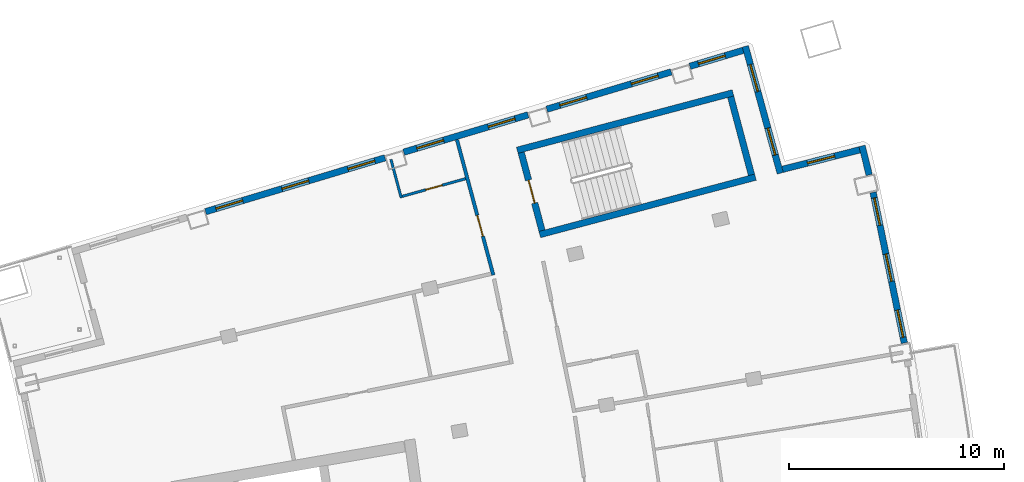
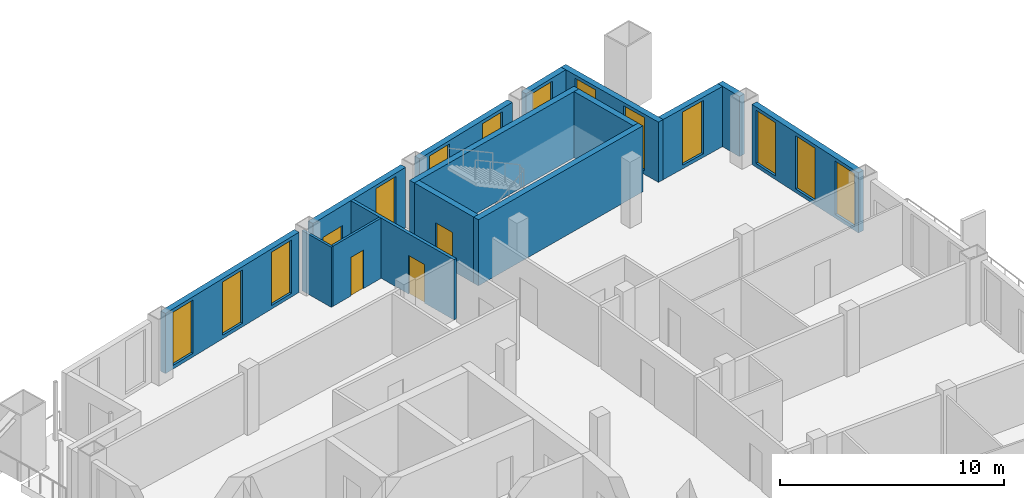
# One storey, part 13 of 17: 15 walls, 14 windows, 3 doors, 17 openings.
"""IFC4 building model written with IfcOpenShell, lengths in metres."""

from ifc_helpers import new_model, si_unit, direction, frame, frame_2d, origin, place, context, subcontext, project, spatial, rectangle, extrude, material, layer, layer_set, type_object, element, fill, save


model = new_model("IFC4")

# Units and contexts
model_context = context("Model", 3, precision=1e-05, world=origin(), true_north=direction((0.0, 1.0)))
body_context = subcontext(model_context, "Body", "Model", "MODEL_VIEW")
ifc_project = project(units=[si_unit("LENGTHUNIT", "METRE"), si_unit("AREAUNIT", "SQUARE_METRE"), si_unit("VOLUMEUNIT", "CUBIC_METRE"), si_unit("PLANEANGLEUNIT", "RADIAN"), si_unit("MASSUNIT", "GRAM", prefix="KILO")], contexts=[model_context])

# Site, building, storey
site_placement = place(None, origin())
site = spatial("IfcSite", under=ifc_project, at=site_placement, CompositionType="ELEMENT")
building_placement = place(site_placement, origin())
building = spatial("IfcBuilding", under=site, at=building_placement, Name="Alderwake Tower", CompositionType="ELEMENT")
storey_placement = place(building_placement, frame((0.0, 0.0, 260.0)))
storey = spatial("IfcBuildingStorey", under=building, at=storey_placement, Name="L64", CompositionType="ELEMENT", Elevation=260.0)

# Walls
ifc_material_1 = material(Name="Concrete C70/85", Category="concrete")
ifc_layer_1 = layer(ifc_material_1, 0.300048828125)
ifc_layer_set_1 = layer_set([ifc_layer_1], Name="Core wall stair enclosure 300 C70-85")
wall_type_1 = type_object("IfcWallType", Name="Core wall stair enclosure 300 C70-85", PredefinedType="SHEAR", material=ifc_layer_set_1)
for number, where, z_axis, x_axis, name in (
    (1, (36.71142578125, 94.182373046875, 0.0), (0.0, 0.0, 1.0), (0.966309214305, 0.257383958996, 0.0), "Core wall CW.082"),
    (2, (37.75390625, 90.268798828125, 0.0), (0.0, 0.0, 1.0), (0.966309214305, 0.257383958996, 0.0), "Core wall CW.084"),
):
    element("IfcWall", number, at=place(storey_placement, frame(where, z_axis=z_axis, x_axis=x_axis)), inside=storey, type_object=wall_type_1, Name=name, PredefinedType="SHEAR", context=body_context, shape_type="SweptSolid", body=[
        extrude(rectangle(XDim=10.360107421875, YDim=0.300048828125, at=frame_2d((5.18017578125, 0.0))), origin(), (0.0, 0.0, 1.0), 3.60009765625),
    ])

# Wall, opening, door
wall_1_placement = place(storey_placement, frame((37.8603515625, 90.452392578125, 0.0), z_axis=(0.0, 0.0, 1.0), x_axis=(-0.257411420208, 0.966301899381, 0.0)))
wall_1 = element("IfcWall", 3, at=wall_1_placement, inside=storey, type_object=wall_type_1, Name="Core wall CW.083", PredefinedType="SHEAR", context=body_context, shape_type="SweptSolid", body=[
    extrude(rectangle(XDim=3.750244140625, YDim=0.300048828125, at=frame_2d((1.875, 0.0))), origin(), (0.0, 0.0, 1.0), 3.60009765625),
])
opening_1_placement = place(wall_1_placement, frame((1.324951171875, 0.0, 0.0)))
opening_1 = element("IfcOpeningElement", 4, at=opening_1_placement, cuts=wall_1, Name="Opening C062", PredefinedType="OPENING", context=body_context, shape_type="SweptSolid", body=[
    extrude(rectangle(XDim=1.10009765625, YDim=2.10009765625, at=frame_2d((0.550048828125, 1.050048828125))), frame((0.0, 0.159912109375, 0.0), z_axis=(0.0, -1.0, 0.0), x_axis=(1.0, 0.0, 0.0)), (0.0, 0.0, 1.0), 0.320068359375),
])
ifc_material_2 = material(Name="Steel-framed fire door leaf", Category="steel")
door_type_1 = type_object("IfcDoorType", Name="Core stair door 1100 fire-rated", OperationType="SINGLE_SWING_LEFT", PredefinedType="DOOR", material=ifc_material_2)
door_1_placement = place(opening_1_placement, origin())
door_1 = element("IfcDoor", 5, at=door_1_placement, inside=storey, type_object=door_type_1, Name="Stair door", OperationType="SINGLE_SWING_LEFT", OverallHeight=2.10009765625, OverallWidth=1.10009765625, PredefinedType="DOOR", context=body_context, shape_type="SweptSolid", body=[
    extrude(rectangle(XDim=1.10009765625, YDim=2.10009765625, at=frame_2d((0.550048828125, 1.050048828125))), frame((0.0, 0.02490234375, 0.0), z_axis=(0.0, -1.0, 0.0), x_axis=(1.0, 0.0, 0.0)), (0.0, 0.0, 1.0), 0.050048828125),
])
fill(opening_1, door_1)

# Wall
wall_2_placement = place(storey_placement, frame((47.581298828125, 93.041748046875, 0.0), z_axis=(0.0, 0.0, 1.0), x_axis=(-0.257366821694, 0.966313778796, 0.0)))
element("IfcWall", 6, at=wall_2_placement, inside=storey, type_object=wall_type_1, Name="Core wall CW.081", PredefinedType="SHEAR", context=body_context, shape_type="SweptSolid", body=[
    extrude(rectangle(XDim=3.749755859375, YDim=0.300048828125, at=frame_2d((1.875, 0.0))), origin(), (0.0, 0.0, 1.0), 3.60009765625),
])

# Wall, opening, door
ifc_material_3 = material(Name="Gypsum board on metal studs, rated")
ifc_layer_2 = layer(ifc_material_3, 0.159912109375)
ifc_layer_set_2 = layer_set([ifc_layer_2], Name="Corridor wall 160")
wall_type_2 = type_object("IfcWallType", Name="Corridor wall 160", PredefinedType="PARTITIONING", material=ifc_layer_set_2)
wall_3_placement = place(storey_placement, frame((35.600830078125, 88.392578125, 0.0), z_axis=(0.0, 0.0, 1.0), x_axis=(-0.259509260101, 0.965740619381, 0.0)))
wall_3 = element("IfcWall", 7, at=wall_3_placement, inside=storey, type_object=wall_type_2, Name="WL/L64/W13", PredefinedType="PARTITIONING", context=body_context, shape_type="SweptSolid", body=[
    extrude(rectangle(XDim=6.50732421875, YDim=0.159912109375, at=frame_2d((3.253662109375, 0.0))), origin(), (0.0, 0.0, 1.0), 3.280029296875),
])
opening_2_placement = place(wall_3_placement, frame((1.865478515625, 0.0, 0.0)))
opening_2 = element("IfcOpeningElement", 8, at=opening_2_placement, cuts=wall_3, Name="Opening R18-U09.1", PredefinedType="OPENING", context=body_context, shape_type="SweptSolid", body=[
    extrude(rectangle(XDim=1.0, YDim=2.10009765625, at=frame_2d((0.5, 1.050048828125))), frame((0.0, 0.08984375, 0.0), z_axis=(0.0, -1.0, 0.0), x_axis=(1.0, 0.0, 0.0)), (0.0, 0.0, 1.0), 0.179931640625),
])
ifc_material_4 = material(Name="Solid timber leaf in steel frame", Category="steel")
door_type_2 = type_object("IfcDoorType", Name="Flat entrance door 1000 fire-rated", OperationType="SINGLE_SWING_LEFT", PredefinedType="DOOR", material=ifc_material_4)
door_2_placement = place(opening_2_placement, origin())
door_2 = element("IfcDoor", 9, at=door_2_placement, inside=storey, type_object=door_type_2, Name="DR/L64/U09.1", OperationType="SINGLE_SWING_LEFT", OverallHeight=2.10009765625, OverallWidth=1.0, PredefinedType="DOOR", context=body_context, shape_type="SweptSolid", body=[
    extrude(rectangle(XDim=1.0, YDim=2.10009765625, at=frame_2d((0.5, 1.050048828125))), frame((0.0, 0.02490234375, 0.0), z_axis=(0.0, -1.0, 0.0), x_axis=(1.0, 0.0, 0.0)), (0.0, 0.0, 1.0), 0.050048828125),
])
fill(opening_2, door_2)

# Wall, openings, windows
ifc_material_5 = material(Name="Precast concrete C50/60 spandrel panel", Category="concrete")
ifc_layer_3 = layer(ifc_material_5, 0.300048828125)
ifc_layer_set_3 = layer_set([ifc_layer_3], Name="External wall EW1 Precast concrete C50/60 spandrel")
wall_type_3 = type_object("IfcWallType", Name="External wall EW1 Precast concrete C50/60 spandrel", PredefinedType="SOLIDWALL", material=ifc_layer_set_3)
wall_4_placement = place(storey_placement, frame((54.67431640625, 85.23974609375, 0.0), z_axis=(0.0, 0.0, 1.0), x_axis=(-0.202780898279, 0.979224135371, 0.0)))
wall_4 = element("IfcWall", 10, at=wall_4_placement, inside=storey, type_object=wall_type_3, Name="External wall 19", PredefinedType="SOLIDWALL", context=body_context, shape_type="SweptSolid", body=[
    extrude(rectangle(XDim=7.13818359375, YDim=0.300048828125, at=frame_2d((3.569091796875, 0.0))), origin(), (0.0, 0.0, 1.0), 3.280029296875),
])
opening_3_placement = place(wall_4_placement, frame((0.263427734375, 0.0, 0.199951171875)))
opening_3 = element("IfcOpeningElement", 11, at=opening_3_placement, cuts=wall_4, Name="Opening W1", PredefinedType="OPENING", context=body_context, shape_type="SweptSolid", body=[
    extrude(rectangle(XDim=1.300048828125, YDim=2.89990234375, at=frame_2d((0.64990234375, 1.449951171875))), frame((0.0, 0.159912109375, 0.0), z_axis=(0.0, -1.0, 0.0), x_axis=(1.0, 0.0, 0.0)), (0.0, 0.0, 1.0), 0.320068359375),
])
opening_4_placement = place(wall_4_placement, frame((2.919189453125, 0.0, 0.199951171875)))
opening_4 = element("IfcOpeningElement", 12, at=opening_4_placement, cuts=wall_4, Name="Opening W1", PredefinedType="OPENING", context=body_context, shape_type="SweptSolid", body=[
    extrude(rectangle(XDim=1.300048828125, YDim=2.89990234375, at=frame_2d((0.64990234375, 1.449951171875))), frame((0.0, 0.159912109375, 0.0), z_axis=(0.0, -1.0, 0.0), x_axis=(1.0, 0.0, 0.0)), (0.0, 0.0, 1.0), 0.320068359375),
])
opening_5_placement = place(wall_4_placement, frame((5.574951171875, 0.0, 0.199951171875)))
opening_5 = element("IfcOpeningElement", 13, at=opening_5_placement, cuts=wall_4, Name="Opening W1", PredefinedType="OPENING", context=body_context, shape_type="SweptSolid", body=[
    extrude(rectangle(XDim=1.300048828125, YDim=2.89990234375, at=frame_2d((0.64990234375, 1.449951171875))), frame((0.0, 0.159912109375, 0.0), z_axis=(0.0, -1.0, 0.0), x_axis=(1.0, 0.0, 0.0)), (0.0, 0.0, 1.0), 0.320068359375),
])
ifc_material_6 = material(Name="Bronze tinted glass in aluminium frame", Category="aluminium")
window_type_1 = type_object("IfcWindowType", Name="Window W1 tall fixed and vent", PartitioningType="DOUBLE_PANEL_VERTICAL", PredefinedType="WINDOW", material=ifc_material_6)
window_1_placement = place(opening_3_placement, origin())
window_1 = element("IfcWindow", 14, at=window_1_placement, inside=storey, type_object=window_type_1, Name="Window W1 tall fixed and vent", OverallHeight=2.89990234375, OverallWidth=1.300048828125, PartitioningType="DOUBLE_PANEL_VERTICAL", PredefinedType="WINDOW", context=body_context, shape_type="SweptSolid", body=[
    extrude(rectangle(XDim=1.300048828125, YDim=2.89990234375, at=frame_2d((0.64990234375, 1.449951171875))), frame((0.0, 0.030029296875, 0.0), z_axis=(0.0, -1.0, 0.0), x_axis=(1.0, 0.0, 0.0)), (0.0, 0.0, 1.0), 0.06005859375),
])
fill(opening_3, window_1)
window_2_placement = place(opening_4_placement, origin())
window_2 = element("IfcWindow", 15, at=window_2_placement, inside=storey, type_object=window_type_1, Name="Window W1 tall fixed and vent", OverallHeight=2.89990234375, OverallWidth=1.300048828125, PartitioningType="DOUBLE_PANEL_VERTICAL", PredefinedType="WINDOW", context=body_context, shape_type="SweptSolid", body=[
    extrude(rectangle(XDim=1.300048828125, YDim=2.89990234375, at=frame_2d((0.64990234375, 1.449951171875))), frame((0.0, 0.030029296875, 0.0), z_axis=(0.0, -1.0, 0.0), x_axis=(1.0, 0.0, 0.0)), (0.0, 0.0, 1.0), 0.06005859375),
])
fill(opening_4, window_2)
window_3_placement = place(opening_5_placement, origin())
window_3 = element("IfcWindow", 16, at=window_3_placement, inside=storey, type_object=window_type_1, Name="Window W1 tall fixed and vent", OverallHeight=2.89990234375, OverallWidth=1.300048828125, PartitioningType="DOUBLE_PANEL_VERTICAL", PredefinedType="WINDOW", context=body_context, shape_type="SweptSolid", body=[
    extrude(rectangle(XDim=1.300048828125, YDim=2.89990234375, at=frame_2d((0.64990234375, 1.449951171875))), frame((0.0, 0.030029296875, 0.0), z_axis=(0.0, -1.0, 0.0), x_axis=(1.0, 0.0, 0.0)), (0.0, 0.0, 1.0), 0.06005859375),
])
fill(opening_5, window_3)

# Wall
wall_5_placement = place(storey_placement, frame((53.044921875, 93.036376953125, 0.0), z_axis=(0.0, 0.0, 1.0), x_axis=(-0.238277778026, 0.971197045145, 0.0)))
element("IfcWall", 17, at=wall_5_placement, inside=storey, type_object=wall_type_3, Name="External wall 20", PredefinedType="SOLIDWALL", context=body_context, shape_type="SweptSolid", body=[
    extrude(rectangle(XDim=1.390380859375, YDim=0.300048828125, at=frame_2d((0.6953125, 0.0))), origin(), (0.0, 0.0, 1.0), 3.280029296875),
])

# Wall, opening, window
ifc_material_7 = material(Name="Bronze metal cladding on lightweight framing")
ifc_layer_4 = layer(ifc_material_7, 0.300048828125)
ifc_layer_set_4 = layer_set([ifc_layer_4], Name="External wall EW2 bronze metal cladding")
wall_type_4 = type_object("IfcWallType", Name="External wall EW2 bronze metal cladding", PredefinedType="SOLIDWALL", material=ifc_layer_set_4)
wall_6_placement = place(storey_placement, frame((52.60400390625, 94.2041015625, 0.0), z_axis=(0.0, 0.0, 1.0), x_axis=(-0.969426922046, -0.245380200529, 0.0)))
wall_6 = element("IfcWall", 18, at=wall_6_placement, inside=storey, type_object=wall_type_4, Name="External wall 21", PredefinedType="SOLIDWALL", context=body_context, shape_type="SweptSolid", body=[
    extrude(rectangle(XDim=3.6943359375, YDim=0.300048828125, at=frame_2d((1.84716796875, 0.0))), origin(), (0.0, 0.0, 1.0), 3.280029296875),
])
opening_6_placement = place(wall_6_placement, frame((1.197021484375, 0.0, 0.199951171875)))
opening_6 = element("IfcOpeningElement", 19, at=opening_6_placement, cuts=wall_6, Name="Opening W1", PredefinedType="OPENING", context=body_context, shape_type="SweptSolid", body=[
    extrude(rectangle(XDim=1.300048828125, YDim=2.89990234375, at=frame_2d((0.64990234375, 1.449951171875))), frame((0.0, 0.159912109375, 0.0), z_axis=(0.0, -1.0, 0.0), x_axis=(1.0, 0.0, 0.0)), (0.0, 0.0, 1.0), 0.320068359375),
])
window_4_placement = place(opening_6_placement, origin())
window_4 = element("IfcWindow", 20, at=window_4_placement, inside=storey, type_object=window_type_1, Name="Window W1 tall fixed and vent", OverallHeight=2.89990234375, OverallWidth=1.300048828125, PartitioningType="DOUBLE_PANEL_VERTICAL", PredefinedType="WINDOW", context=body_context, shape_type="SweptSolid", body=[
    extrude(rectangle(XDim=1.300048828125, YDim=2.89990234375, at=frame_2d((0.64990234375, 1.449951171875))), frame((0.0, 0.030029296875, 0.0), z_axis=(0.0, -1.0, 0.0), x_axis=(1.0, 0.0, 0.0)), (0.0, 0.0, 1.0), 0.06005859375),
])
fill(opening_6, window_4)

# Wall, openings, windows
wall_7_placement = place(storey_placement, frame((48.9169921875, 93.1162109375, 0.0), z_axis=(0.0, 0.0, 1.0), x_axis=(-0.265084063533, 0.964225305238, 0.0)))
wall_7 = element("IfcWall", 21, at=wall_7_placement, inside=storey, type_object=wall_type_4, Name="External wall 22", PredefinedType="SOLIDWALL", context=body_context, shape_type="SweptSolid", body=[
    extrude(rectangle(XDim=6.11181640625, YDim=0.300048828125, at=frame_2d((3.055908203125, 0.0))), origin(), (0.0, 0.0, 1.0), 3.280029296875),
])
opening_7_placement = place(wall_7_placement, frame((0.8779296875, 0.0, 0.199951171875)))
opening_7 = element("IfcOpeningElement", 22, at=opening_7_placement, cuts=wall_7, Name="Opening W1", PredefinedType="OPENING", context=body_context, shape_type="SweptSolid", body=[
    extrude(rectangle(XDim=1.300048828125, YDim=2.89990234375, at=frame_2d((0.64990234375, 1.449951171875))), frame((0.0, 0.159912109375, 0.0), z_axis=(0.0, -1.0, 0.0), x_axis=(1.0, 0.0, 0.0)), (0.0, 0.0, 1.0), 0.320068359375),
])
opening_8_placement = place(wall_7_placement, frame((3.933837890625, 0.0, 0.199951171875)))
opening_8 = element("IfcOpeningElement", 23, at=opening_8_placement, cuts=wall_7, Name="Opening W1", PredefinedType="OPENING", context=body_context, shape_type="SweptSolid", body=[
    extrude(rectangle(XDim=1.300048828125, YDim=2.89990234375, at=frame_2d((0.64990234375, 1.449951171875))), frame((0.0, 0.159912109375, 0.0), z_axis=(0.0, -1.0, 0.0), x_axis=(1.0, 0.0, 0.0)), (0.0, 0.0, 1.0), 0.320068359375),
])
window_5_placement = place(opening_7_placement, origin())
window_5 = element("IfcWindow", 24, at=window_5_placement, inside=storey, type_object=window_type_1, Name="Window W1 tall fixed and vent", OverallHeight=2.89990234375, OverallWidth=1.300048828125, PartitioningType="DOUBLE_PANEL_VERTICAL", PredefinedType="WINDOW", context=body_context, shape_type="SweptSolid", body=[
    extrude(rectangle(XDim=1.300048828125, YDim=2.89990234375, at=frame_2d((0.64990234375, 1.449951171875))), frame((0.0, 0.030029296875, 0.0), z_axis=(0.0, -1.0, 0.0), x_axis=(1.0, 0.0, 0.0)), (0.0, 0.0, 1.0), 0.06005859375),
])
fill(opening_7, window_5)
window_6_placement = place(opening_8_placement, origin())
window_6 = element("IfcWindow", 25, at=window_6_placement, inside=storey, type_object=window_type_1, Name="Window W1 tall fixed and vent", OverallHeight=2.89990234375, OverallWidth=1.300048828125, PartitioningType="DOUBLE_PANEL_VERTICAL", PredefinedType="WINDOW", context=body_context, shape_type="SweptSolid", body=[
    extrude(rectangle(XDim=1.300048828125, YDim=2.89990234375, at=frame_2d((0.64990234375, 1.449951171875))), frame((0.0, 0.030029296875, 0.0), z_axis=(0.0, -1.0, 0.0), x_axis=(1.0, 0.0, 0.0)), (0.0, 0.0, 1.0), 0.06005859375),
])
fill(opening_8, window_6)

# Wall, opening, window
wall_8_placement = place(storey_placement, frame((47.193115234375, 98.821533203125, 0.0), z_axis=(0.0, 0.0, 1.0), x_axis=(-0.957774173121, -0.28752153537, 0.0)))
wall_8 = element("IfcWall", 26, at=wall_8_placement, inside=storey, type_object=wall_type_4, Name="External wall 23", PredefinedType="SOLIDWALL", context=body_context, shape_type="SweptSolid", body=[
    extrude(rectangle(XDim=2.57958984375, YDim=0.300048828125, at=frame_2d((1.289794921875, 0.0))), origin(), (0.0, 0.0, 1.0), 3.280029296875),
])
opening_9_placement = place(wall_8_placement, frame((0.865478515625, 0.0, 0.199951171875)))
opening_9 = element("IfcOpeningElement", 27, at=opening_9_placement, cuts=wall_8, Name="Opening W1", PredefinedType="OPENING", context=body_context, shape_type="SweptSolid", body=[
    extrude(rectangle(XDim=1.300048828125, YDim=2.89990234375, at=frame_2d((0.64990234375, 1.449951171875))), frame((0.0, 0.159912109375, 0.0), z_axis=(0.0, -1.0, 0.0), x_axis=(1.0, 0.0, 0.0)), (0.0, 0.0, 1.0), 0.320068359375),
])
window_7_placement = place(opening_9_placement, origin())
window_7 = element("IfcWindow", 28, at=window_7_placement, inside=storey, type_object=window_type_1, Name="Window W1 tall fixed and vent", OverallHeight=2.89990234375, OverallWidth=1.300048828125, PartitioningType="DOUBLE_PANEL_VERTICAL", PredefinedType="WINDOW", context=body_context, shape_type="SweptSolid", body=[
    extrude(rectangle(XDim=1.300048828125, YDim=2.89990234375, at=frame_2d((0.64990234375, 1.449951171875))), frame((0.0, 0.030029296875, 0.0), z_axis=(0.0, -1.0, 0.0), x_axis=(1.0, 0.0, 0.0)), (0.0, 0.0, 1.0), 0.06005859375),
])
fill(opening_9, window_7)

# Wall, openings, windows
wall_9_placement = place(storey_placement, frame((43.857177734375, 97.820068359375, 0.0), z_axis=(0.0, 0.0, 1.0), x_axis=(-0.957771667866, -0.287529880593, 0.0)))
wall_9 = element("IfcWall", 29, at=wall_9_placement, inside=storey, type_object=wall_type_4, Name="External wall 24", PredefinedType="SOLIDWALL", context=body_context, shape_type="SweptSolid", body=[
    extrude(rectangle(XDim=6.0302734375, YDim=0.300048828125, at=frame_2d((3.01513671875, 0.0))), origin(), (0.0, 0.0, 1.0), 3.280029296875),
])
opening_10_placement = place(wall_9_placement, frame((0.6318359375, 0.0, 0.199951171875)))
opening_10 = element("IfcOpeningElement", 30, at=opening_10_placement, cuts=wall_9, Name="Opening W1", PredefinedType="OPENING", context=body_context, shape_type="SweptSolid", body=[
    extrude(rectangle(XDim=1.300048828125, YDim=2.89990234375, at=frame_2d((0.64990234375, 1.449951171875))), frame((0.0, 0.159912109375, 0.0), z_axis=(0.0, -1.0, 0.0), x_axis=(1.0, 0.0, 0.0)), (0.0, 0.0, 1.0), 0.320068359375),
])
opening_11_placement = place(wall_9_placement, frame((4.098388671875, 0.0, 0.199951171875)))
opening_11 = element("IfcOpeningElement", 31, at=opening_11_placement, cuts=wall_9, Name="Opening W1", PredefinedType="OPENING", context=body_context, shape_type="SweptSolid", body=[
    extrude(rectangle(XDim=1.300048828125, YDim=2.89990234375, at=frame_2d((0.64990234375, 1.449951171875))), frame((0.0, 0.159912109375, 0.0), z_axis=(0.0, -1.0, 0.0), x_axis=(1.0, 0.0, 0.0)), (0.0, 0.0, 1.0), 0.320068359375),
])
window_8_placement = place(opening_10_placement, origin())
window_8 = element("IfcWindow", 32, at=window_8_placement, inside=storey, type_object=window_type_1, Name="Window W1 tall fixed and vent", OverallHeight=2.89990234375, OverallWidth=1.300048828125, PartitioningType="DOUBLE_PANEL_VERTICAL", PredefinedType="WINDOW", context=body_context, shape_type="SweptSolid", body=[
    extrude(rectangle(XDim=1.300048828125, YDim=2.89990234375, at=frame_2d((0.64990234375, 1.449951171875))), frame((0.0, 0.030029296875, 0.0), z_axis=(0.0, -1.0, 0.0), x_axis=(1.0, 0.0, 0.0)), (0.0, 0.0, 1.0), 0.06005859375),
])
fill(opening_10, window_8)
window_9_placement = place(opening_11_placement, origin())
window_9 = element("IfcWindow", 33, at=window_9_placement, inside=storey, type_object=window_type_1, Name="Window W1 tall fixed and vent", OverallHeight=2.89990234375, OverallWidth=1.300048828125, PartitioningType="DOUBLE_PANEL_VERTICAL", PredefinedType="WINDOW", context=body_context, shape_type="SweptSolid", body=[
    extrude(rectangle(XDim=1.300048828125, YDim=2.89990234375, at=frame_2d((0.64990234375, 1.449951171875))), frame((0.0, 0.030029296875, 0.0), z_axis=(0.0, -1.0, 0.0), x_axis=(1.0, 0.0, 0.0)), (0.0, 0.0, 1.0), 0.06005859375),
])
fill(opening_11, window_9)

wall_10_placement = place(storey_placement, frame((37.21630859375, 95.826416015625, 0.0), z_axis=(0.0, 0.0, 1.0), x_axis=(-0.957753821359, -0.287589321205, 0.0)))
wall_10 = element("IfcWall", 34, at=wall_10_placement, inside=storey, type_object=wall_type_4, Name="External wall 25", PredefinedType="SOLIDWALL", context=body_context, shape_type="SweptSolid", body=[
    extrude(rectangle(XDim=6.02978515625, YDim=0.300048828125, at=frame_2d((3.014892578125, 0.0))), origin(), (0.0, 0.0, 1.0), 3.280029296875),
])
opening_12_placement = place(wall_10_placement, frame((0.631591796875, 0.0, 0.199951171875)))
opening_12 = element("IfcOpeningElement", 35, at=opening_12_placement, cuts=wall_10, Name="Opening W1", PredefinedType="OPENING", context=body_context, shape_type="SweptSolid", body=[
    extrude(rectangle(XDim=1.300048828125, YDim=2.89990234375, at=frame_2d((0.64990234375, 1.449951171875))), frame((0.0, 0.159912109375, 0.0), z_axis=(0.0, -1.0, 0.0), x_axis=(1.0, 0.0, 0.0)), (0.0, 0.0, 1.0), 0.320068359375),
])
opening_13_placement = place(wall_10_placement, frame((4.098388671875, 0.0, 1.0)))
opening_13 = element("IfcOpeningElement", 36, at=opening_13_placement, cuts=wall_10, Name="Opening W2", PredefinedType="OPENING", context=body_context, shape_type="SweptSolid", body=[
    extrude(rectangle(XDim=1.300048828125, YDim=1.199951171875, at=frame_2d((0.64990234375, 0.60009765625))), frame((0.0, 0.159912109375, 0.0), z_axis=(0.0, -1.0, 0.0), x_axis=(1.0, 0.0, 0.0)), (0.0, 0.0, 1.0), 0.320068359375),
])
window_10_placement = place(opening_12_placement, origin())
window_10 = element("IfcWindow", 37, at=window_10_placement, inside=storey, type_object=window_type_1, Name="Window W1 tall fixed and vent", OverallHeight=2.89990234375, OverallWidth=1.300048828125, PartitioningType="DOUBLE_PANEL_VERTICAL", PredefinedType="WINDOW", context=body_context, shape_type="SweptSolid", body=[
    extrude(rectangle(XDim=1.300048828125, YDim=2.89990234375, at=frame_2d((0.64990234375, 1.449951171875))), frame((0.0, 0.030029296875, 0.0), z_axis=(0.0, -1.0, 0.0), x_axis=(1.0, 0.0, 0.0)), (0.0, 0.0, 1.0), 0.06005859375),
])
fill(opening_12, window_10)
ifc_material_8 = material(Name="Bronze tinted glass in aluminium frame", Category="aluminium")
window_type_2 = type_object("IfcWindowType", Name="Window W2 kitchen and bath", PartitioningType="SINGLE_PANEL", PredefinedType="WINDOW", material=ifc_material_8)
window_11_placement = place(opening_13_placement, origin())
window_11 = element("IfcWindow", 38, at=window_11_placement, inside=storey, type_object=window_type_2, Name="Window W2 kitchen and bath", OverallHeight=1.199951171875, OverallWidth=1.300048828125, PartitioningType="SINGLE_PANEL", PredefinedType="WINDOW", context=body_context, shape_type="SweptSolid", body=[
    extrude(rectangle(XDim=1.300048828125, YDim=1.199951171875, at=frame_2d((0.64990234375, 0.60009765625))), frame((0.0, 0.030029296875, 0.0), z_axis=(0.0, -1.0, 0.0), x_axis=(1.0, 0.0, 0.0)), (0.0, 0.0, 1.0), 0.06005859375),
])
fill(opening_13, window_11)

wall_11_placement = place(storey_placement, frame((30.57568359375, 93.83251953125, 0.0), z_axis=(0.0, 0.0, 1.0), x_axis=(-0.957762902908, -0.287559075345, 0.0)))
wall_11 = element("IfcWall", 39, at=wall_11_placement, inside=storey, type_object=wall_type_4, Name="External wall 26", PredefinedType="SOLIDWALL", context=body_context, shape_type="SweptSolid", body=[
    extrude(rectangle(XDim=8.696533203125, YDim=0.300048828125, at=frame_2d((4.34814453125, 0.0))), origin(), (0.0, 0.0, 1.0), 3.280029296875),
])
opening_14_placement = place(wall_11_placement, frame((0.498291015625, 0.0, 0.199951171875)))
opening_14 = element("IfcOpeningElement", 40, at=opening_14_placement, cuts=wall_11, Name="Opening W1", PredefinedType="OPENING", context=body_context, shape_type="SweptSolid", body=[
    extrude(rectangle(XDim=1.300048828125, YDim=2.89990234375, at=frame_2d((0.64990234375, 1.449951171875))), frame((0.0, 0.159912109375, 0.0), z_axis=(0.0, -1.0, 0.0), x_axis=(1.0, 0.0, 0.0)), (0.0, 0.0, 1.0), 0.320068359375),
])
opening_15_placement = place(wall_11_placement, frame((3.6982421875, 0.0, 0.199951171875)))
opening_15 = element("IfcOpeningElement", 41, at=opening_15_placement, cuts=wall_11, Name="Opening W1", PredefinedType="OPENING", context=body_context, shape_type="SweptSolid", body=[
    extrude(rectangle(XDim=1.300048828125, YDim=2.89990234375, at=frame_2d((0.64990234375, 1.449951171875))), frame((0.0, 0.159912109375, 0.0), z_axis=(0.0, -1.0, 0.0), x_axis=(1.0, 0.0, 0.0)), (0.0, 0.0, 1.0), 0.320068359375),
])
opening_16_placement = place(wall_11_placement, frame((6.898193359375, 0.0, 0.199951171875)))
opening_16 = element("IfcOpeningElement", 42, at=opening_16_placement, cuts=wall_11, Name="Opening W1", PredefinedType="OPENING", context=body_context, shape_type="SweptSolid", body=[
    extrude(rectangle(XDim=1.300048828125, YDim=2.89990234375, at=frame_2d((0.64990234375, 1.449951171875))), frame((0.0, 0.159912109375, 0.0), z_axis=(0.0, -1.0, 0.0), x_axis=(1.0, 0.0, 0.0)), (0.0, 0.0, 1.0), 0.320068359375),
])
window_12_placement = place(opening_14_placement, origin())
window_12 = element("IfcWindow", 43, at=window_12_placement, inside=storey, type_object=window_type_1, Name="Window W1 tall fixed and vent", OverallHeight=2.89990234375, OverallWidth=1.300048828125, PartitioningType="DOUBLE_PANEL_VERTICAL", PredefinedType="WINDOW", context=body_context, shape_type="SweptSolid", body=[
    extrude(rectangle(XDim=1.300048828125, YDim=2.89990234375, at=frame_2d((0.64990234375, 1.449951171875))), frame((0.0, 0.030029296875, 0.0), z_axis=(0.0, -1.0, 0.0), x_axis=(1.0, 0.0, 0.0)), (0.0, 0.0, 1.0), 0.06005859375),
])
fill(opening_14, window_12)
window_13_placement = place(opening_15_placement, origin())
window_13 = element("IfcWindow", 44, at=window_13_placement, inside=storey, type_object=window_type_1, Name="Window W1 tall fixed and vent", OverallHeight=2.89990234375, OverallWidth=1.300048828125, PartitioningType="DOUBLE_PANEL_VERTICAL", PredefinedType="WINDOW", context=body_context, shape_type="SweptSolid", body=[
    extrude(rectangle(XDim=1.300048828125, YDim=2.89990234375, at=frame_2d((0.64990234375, 1.449951171875))), frame((0.0, 0.030029296875, 0.0), z_axis=(0.0, -1.0, 0.0), x_axis=(1.0, 0.0, 0.0)), (0.0, 0.0, 1.0), 0.06005859375),
])
fill(opening_15, window_13)
window_14_placement = place(opening_16_placement, origin())
window_14 = element("IfcWindow", 45, at=window_14_placement, inside=storey, type_object=window_type_1, Name="Window W1 tall fixed and vent", OverallHeight=2.89990234375, OverallWidth=1.300048828125, PartitioningType="DOUBLE_PANEL_VERTICAL", PredefinedType="WINDOW", context=body_context, shape_type="SweptSolid", body=[
    extrude(rectangle(XDim=1.300048828125, YDim=2.89990234375, at=frame_2d((0.64990234375, 1.449951171875))), frame((0.0, 0.030029296875, 0.0), z_axis=(0.0, -1.0, 0.0), x_axis=(1.0, 0.0, 0.0)), (0.0, 0.0, 1.0), 0.06005859375),
])
fill(opening_16, window_14)

# Wall
ifc_material_9 = material(Name="Moisture resistant gypsum board on metal studs")
ifc_layer_5 = layer(ifc_material_9, 0.1201171875)
ifc_layer_set_5 = layer_set([ifc_layer_5], Name="Wet room partition 120")
wall_type_5 = type_object("IfcWallType", Name="Wet room partition 120", PredefinedType="PARTITIONING", material=ifc_layer_set_5)
wall_12_placement = place(storey_placement, frame((30.84912109375, 93.759033203125, 0.0), z_axis=(0.0, 0.0, 1.0), x_axis=(0.259401464702, -0.965769579201, 0.0)))
element("IfcWall", 46, at=wall_12_placement, inside=storey, type_object=wall_type_5, Name="WL/L64/W28", PredefinedType="PARTITIONING", context=body_context, shape_type="SweptSolid", body=[
    extrude(rectangle(XDim=1.852294921875, YDim=0.1201171875, at=frame_2d((0.92626953125, 0.0))), origin(), (0.0, 0.0, 1.0), 3.280029296875),
])

# Wall, opening, door
wall_13_placement = place(storey_placement, frame((31.371826171875, 92.044189453125, 0.0), z_axis=(0.0, 0.0, 1.0), x_axis=(0.963351881246, 0.268240848677, 0.0)))
wall_13 = element("IfcWall", 47, at=wall_13_placement, inside=storey, type_object=wall_type_5, Name="WL/L64/W29", PredefinedType="PARTITIONING", context=body_context, shape_type="SweptSolid", body=[
    extrude(rectangle(XDim=3.05810546875, YDim=0.1201171875, at=frame_2d((1.529052734375, 0.0))), origin(), (0.0, 0.0, 1.0), 3.280029296875),
])
opening_17_placement = place(wall_13_placement, frame((1.129150390625, 0.0, 0.0)))
opening_17 = element("IfcOpeningElement", 48, at=opening_17_placement, cuts=wall_13, Name="Opening R18-U09.2", PredefinedType="OPENING", context=body_context, shape_type="SweptSolid", body=[
    extrude(rectangle(XDim=0.800048828125, YDim=2.10009765625, at=frame_2d((0.39990234375, 1.050048828125))), frame((0.0, 0.070068359375, 0.0), z_axis=(0.0, -1.0, 0.0), x_axis=(1.0, 0.0, 0.0)), (0.0, 0.0, 1.0), 0.14013671875),
])
ifc_material_10 = material(Name="Painted timber leaf", Category="wood")
door_type_3 = type_object("IfcDoorType", Name="Bathroom door 800", OperationType="SINGLE_SWING_LEFT", PredefinedType="DOOR", material=ifc_material_10)
door_3_placement = place(opening_17_placement, origin())
door_3 = element("IfcDoor", 49, at=door_3_placement, inside=storey, type_object=door_type_3, Name="DR/L64/U09.2", OperationType="SINGLE_SWING_LEFT", OverallHeight=2.10009765625, OverallWidth=0.800048828125, PredefinedType="DOOR", context=body_context, shape_type="SweptSolid", body=[
    extrude(rectangle(XDim=0.800048828125, YDim=2.10009765625, at=frame_2d((0.39990234375, 1.050048828125))), frame((0.0, 0.02490234375, 0.0), z_axis=(0.0, -1.0, 0.0), x_axis=(1.0, 0.0, 0.0)), (0.0, 0.0, 1.0), 0.050048828125),
])
fill(opening_17, door_3)

save(model, "model.ifc")
